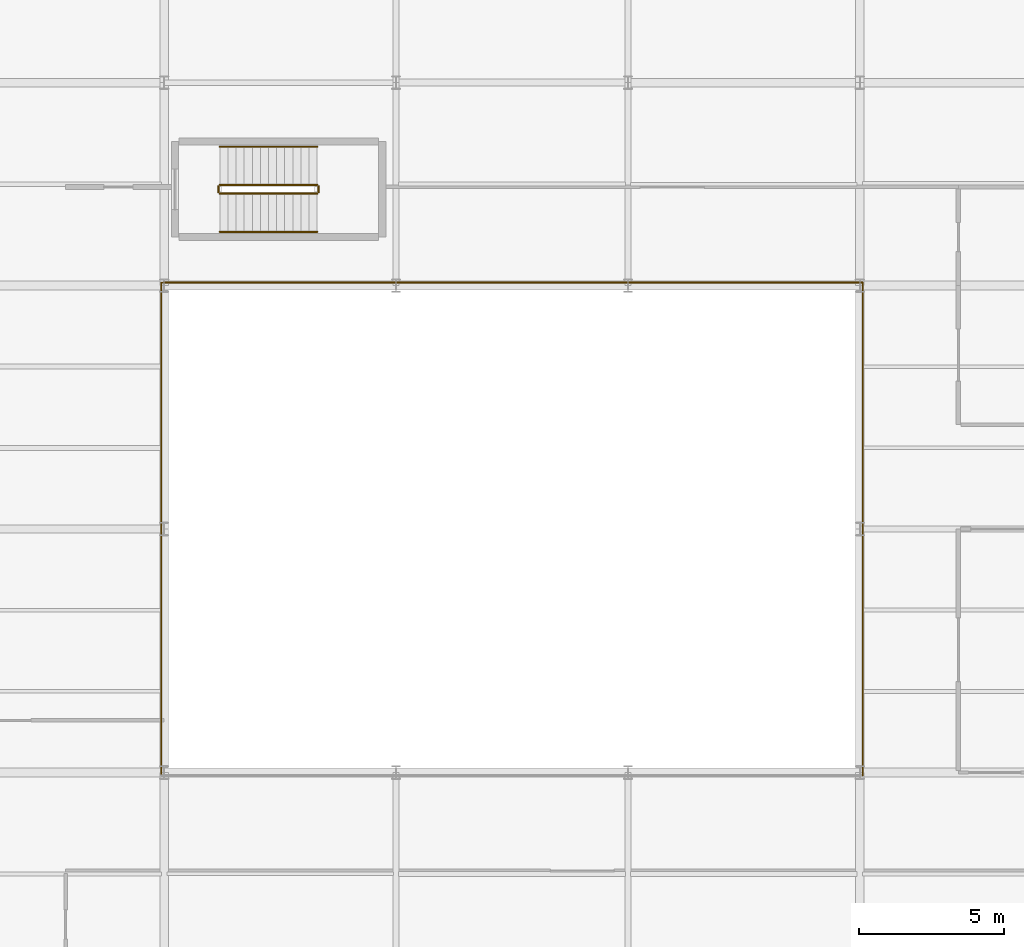
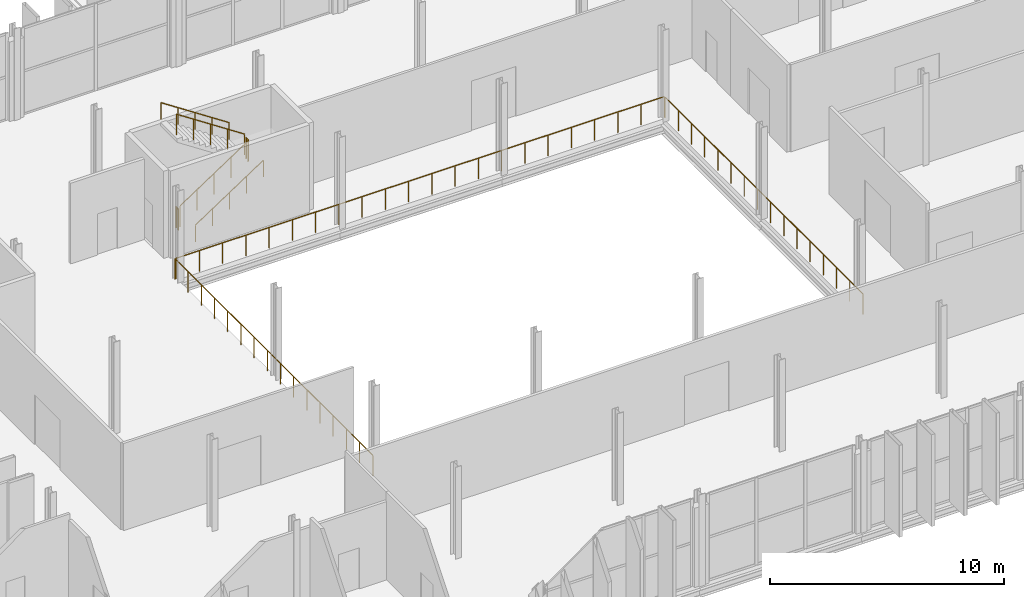
# One storey, part 115 of 120: 9 railings.
"""IFC4 building model written with IfcOpenShell, lengths in metres."""

from ifc_helpers import new_model, si_unit, direction, frame, origin, origin_2d, place, context, subcontext, project, spatial, circle, extrude, material, type_object, element, save


model = new_model("IFC4")

# Units and contexts
model_context = context("Model", 3, precision=1e-05, world=origin(), true_north=direction((0.0, 1.0)))
body_context = subcontext(model_context, "Body", "Model", "MODEL_VIEW")
ifc_project = project(units=[si_unit("LENGTHUNIT", "METRE"), si_unit("AREAUNIT", "SQUARE_METRE"), si_unit("VOLUMEUNIT", "CUBIC_METRE"), si_unit("PLANEANGLEUNIT", "RADIAN"), si_unit("MASSUNIT", "GRAM", prefix="KILO")], contexts=[model_context])

# Site, building, storey
site_placement = place(None, origin())
site = spatial("IfcSite", under=ifc_project, at=site_placement, CompositionType="ELEMENT")
building_placement = place(site_placement, origin())
building = spatial("IfcBuilding", under=site, at=building_placement, Name="Vekula Escarpment Museum", CompositionType="ELEMENT")
storey_placement = place(building_placement, frame((0.0, 0.0, 13.199951171875)))
storey = spatial("IfcBuildingStorey", under=building, at=storey_placement, Name="L03", CompositionType="ELEMENT", Elevation=13.199951171875)

# Railings
ifc_material_1 = material(Name="Bronze-coated Steel S355 balustrade", Category="steel")
railing_type_1 = type_object("IfcRailingType", Name="RL-ATR-BAL", PredefinedType="BALUSTRADE", material=ifc_material_1)
railing_1_placement = place(storey_placement, frame((110.10009765625, 59.5, 0.0)))
element("IfcRailing", 1, at=railing_1_placement, inside=storey, type_object=railing_type_1, Name="Central Atrium Balustrade L03 E", PredefinedType="BALUSTRADE", context=body_context, shape_type="SweptSolid", body=[
    extrude(circle(Radius=0.02392578125, at=origin_2d()), frame((0.0, 0.0, 1.076171875), z_axis=(0.0, 1.0, 0.0), x_axis=(-1.0, 0.0, 0.0)), (0.0, 0.0, 1.0), 16.93994140625),
    extrude(circle(Radius=0.02099609375, at=origin_2d()), origin(), (0.0, 0.0, 1.0), 1.052001953125),
    extrude(circle(Radius=0.02099609375, at=origin_2d()), frame((0.0, 1.12939453125, 0.0)), (0.0, 0.0, 1.0), 1.052001953125),
    extrude(circle(Radius=0.02099609375, at=origin_2d()), frame((0.0, 2.258544921875, 0.0)), (0.0, 0.0, 1.0), 1.052001953125),
    extrude(circle(Radius=0.02099609375, at=origin_2d()), frame((0.0, 3.387939453125, 0.0)), (0.0, 0.0, 1.0), 1.052001953125),
    extrude(circle(Radius=0.02099609375, at=origin_2d()), frame((0.0, 4.517333984375, 0.0)), (0.0, 0.0, 1.0), 1.052001953125),
    extrude(circle(Radius=0.02099609375, at=origin_2d()), frame((0.0, 5.646728515625, 0.0)), (0.0, 0.0, 1.0), 1.052001953125),
    extrude(circle(Radius=0.02099609375, at=origin_2d()), frame((0.0, 6.77587890625, 0.0)), (0.0, 0.0, 1.0), 1.052001953125),
    extrude(circle(Radius=0.02099609375, at=origin_2d()), frame((0.0, 7.9052734375, 0.0)), (0.0, 0.0, 1.0), 1.052001953125),
    extrude(circle(Radius=0.02099609375, at=origin_2d()), frame((0.0, 9.03466796875, 0.0)), (0.0, 0.0, 1.0), 1.052001953125),
    extrude(circle(Radius=0.02099609375, at=origin_2d()), frame((0.0, 10.1640625, 0.0)), (0.0, 0.0, 1.0), 1.052001953125),
    extrude(circle(Radius=0.02099609375, at=origin_2d()), frame((0.0, 11.293212890625, 0.0)), (0.0, 0.0, 1.0), 1.052001953125),
    extrude(circle(Radius=0.02099609375, at=origin_2d()), frame((0.0, 12.422607421875, 0.0)), (0.0, 0.0, 1.0), 1.052001953125),
    extrude(circle(Radius=0.02099609375, at=origin_2d()), frame((0.0, 13.552001953125, 0.0)), (0.0, 0.0, 1.0), 1.052001953125),
    extrude(circle(Radius=0.02099609375, at=origin_2d()), frame((0.0, 14.681396484375, 0.0)), (0.0, 0.0, 1.0), 1.052001953125),
    extrude(circle(Radius=0.02099609375, at=origin_2d()), frame((0.0, 15.810546875, 0.0)), (0.0, 0.0, 1.0), 1.052001953125),
    extrude(circle(Radius=0.02099609375, at=origin_2d()), frame((0.0, 16.93994140625, 0.0)), (0.0, 0.0, 1.0), 1.052001953125),
])
railing_2_placement = place(storey_placement, frame((110.10009765625, 76.5, 0.0)))
element("IfcRailing", 2, at=railing_2_placement, inside=storey, type_object=railing_type_1, Name="Central Atrium Balustrade L03 N", PredefinedType="BALUSTRADE", context=body_context, shape_type="SweptSolid", body=[
    extrude(circle(Radius=0.02392578125, at=origin_2d()), frame((0.0, 0.0, 1.076171875), z_axis=(-1.0, 0.0, 0.0), x_axis=(0.0, -1.0, 0.0)), (0.0, 0.0, 1.0), 24.14013671875),
    extrude(circle(Radius=0.02099609375, at=origin_2d()), origin(), (0.0, 0.0, 1.0), 1.052001953125),
    extrude(circle(Radius=0.02099609375, at=origin_2d()), frame((-1.1494140625, 0.0, 0.0)), (0.0, 0.0, 1.0), 1.052001953125),
    extrude(circle(Radius=0.02099609375, at=origin_2d()), frame((-2.299072265625, 0.0, 0.0)), (0.0, 0.0, 1.0), 1.052001953125),
    extrude(circle(Radius=0.02099609375, at=origin_2d()), frame((-3.448486328125, 0.0, 0.0)), (0.0, 0.0, 1.0), 1.052001953125),
    extrude(circle(Radius=0.02099609375, at=origin_2d()), frame((-4.59814453125, 0.0, 0.0)), (0.0, 0.0, 1.0), 1.052001953125),
    extrude(circle(Radius=0.02099609375, at=origin_2d()), frame((-5.74755859375, 0.0, 0.0)), (0.0, 0.0, 1.0), 1.052001953125),
    extrude(circle(Radius=0.02099609375, at=origin_2d()), frame((-6.897216796875, 0.0, 0.0)), (0.0, 0.0, 1.0), 1.052001953125),
    extrude(circle(Radius=0.02099609375, at=origin_2d()), frame((-8.046630859375, 0.0, 0.0)), (0.0, 0.0, 1.0), 1.052001953125),
    extrude(circle(Radius=0.02099609375, at=origin_2d()), frame((-9.1962890625, 0.0, 0.0)), (0.0, 0.0, 1.0), 1.052001953125),
    extrude(circle(Radius=0.02099609375, at=origin_2d()), frame((-10.345703125, 0.0, 0.0)), (0.0, 0.0, 1.0), 1.052001953125),
    extrude(circle(Radius=0.02099609375, at=origin_2d()), frame((-11.495361328125, 0.0, 0.0)), (0.0, 0.0, 1.0), 1.052001953125),
    extrude(circle(Radius=0.02099609375, at=origin_2d()), frame((-12.644775390625, 0.0, 0.0)), (0.0, 0.0, 1.0), 1.052001953125),
    extrude(circle(Radius=0.02099609375, at=origin_2d()), frame((-13.79443359375, 0.0, 0.0)), (0.0, 0.0, 1.0), 1.052001953125),
    extrude(circle(Radius=0.02099609375, at=origin_2d()), frame((-14.94384765625, 0.0, 0.0)), (0.0, 0.0, 1.0), 1.052001953125),
    extrude(circle(Radius=0.02099609375, at=origin_2d()), frame((-16.093505859375, 0.0, 0.0)), (0.0, 0.0, 1.0), 1.052001953125),
    extrude(circle(Radius=0.02099609375, at=origin_2d()), frame((-17.242919921875, 0.0, 0.0)), (0.0, 0.0, 1.0), 1.052001953125),
    extrude(circle(Radius=0.02099609375, at=origin_2d()), frame((-18.392578125, 0.0, 0.0)), (0.0, 0.0, 1.0), 1.052001953125),
    extrude(circle(Radius=0.02099609375, at=origin_2d()), frame((-19.5419921875, 0.0, 0.0)), (0.0, 0.0, 1.0), 1.052001953125),
    extrude(circle(Radius=0.02099609375, at=origin_2d()), frame((-20.691650390625, 0.0, 0.0)), (0.0, 0.0, 1.0), 1.052001953125),
    extrude(circle(Radius=0.02099609375, at=origin_2d()), frame((-21.841064453125, 0.0, 0.0)), (0.0, 0.0, 1.0), 1.052001953125),
    extrude(circle(Radius=0.02099609375, at=origin_2d()), frame((-22.99072265625, 0.0, 0.0)), (0.0, 0.0, 1.0), 1.052001953125),
    extrude(circle(Radius=0.02099609375, at=origin_2d()), frame((-24.14013671875, 0.0, 0.0)), (0.0, 0.0, 1.0), 1.052001953125),
])
railing_3_placement = place(storey_placement, frame((85.89990234375, 76.5, 0.0)))
element("IfcRailing", 3, at=railing_3_placement, inside=storey, type_object=railing_type_1, Name="Central Atrium Balustrade L03 W", PredefinedType="BALUSTRADE", context=body_context, shape_type="SweptSolid", body=[
    extrude(circle(Radius=0.02392578125, at=origin_2d()), frame((0.0, 0.0, 1.076171875), z_axis=(0.0, -1.0, 0.0), x_axis=(1.0, 0.0, 0.0)), (0.0, 0.0, 1.0), 16.93994140625),
    extrude(circle(Radius=0.02099609375, at=origin_2d()), origin(), (0.0, 0.0, 1.0), 1.052001953125),
    extrude(circle(Radius=0.02099609375, at=origin_2d()), frame((0.0, -1.12939453125, 0.0)), (0.0, 0.0, 1.0), 1.052001953125),
    extrude(circle(Radius=0.02099609375, at=origin_2d()), frame((0.0, -2.258544921875, 0.0)), (0.0, 0.0, 1.0), 1.052001953125),
    extrude(circle(Radius=0.02099609375, at=origin_2d()), frame((0.0, -3.387939453125, 0.0)), (0.0, 0.0, 1.0), 1.052001953125),
    extrude(circle(Radius=0.02099609375, at=origin_2d()), frame((0.0, -4.517333984375, 0.0)), (0.0, 0.0, 1.0), 1.052001953125),
    extrude(circle(Radius=0.02099609375, at=origin_2d()), frame((0.0, -5.646728515625, 0.0)), (0.0, 0.0, 1.0), 1.052001953125),
    extrude(circle(Radius=0.02099609375, at=origin_2d()), frame((0.0, -6.77587890625, 0.0)), (0.0, 0.0, 1.0), 1.052001953125),
    extrude(circle(Radius=0.02099609375, at=origin_2d()), frame((0.0, -7.9052734375, 0.0)), (0.0, 0.0, 1.0), 1.052001953125),
    extrude(circle(Radius=0.02099609375, at=origin_2d()), frame((0.0, -9.03466796875, 0.0)), (0.0, 0.0, 1.0), 1.052001953125),
    extrude(circle(Radius=0.02099609375, at=origin_2d()), frame((0.0, -10.1640625, 0.0)), (0.0, 0.0, 1.0), 1.052001953125),
    extrude(circle(Radius=0.02099609375, at=origin_2d()), frame((0.0, -11.293212890625, 0.0)), (0.0, 0.0, 1.0), 1.052001953125),
    extrude(circle(Radius=0.02099609375, at=origin_2d()), frame((0.0, -12.422607421875, 0.0)), (0.0, 0.0, 1.0), 1.052001953125),
    extrude(circle(Radius=0.02099609375, at=origin_2d()), frame((0.0, -13.552001953125, 0.0)), (0.0, 0.0, 1.0), 1.052001953125),
    extrude(circle(Radius=0.02099609375, at=origin_2d()), frame((0.0, -14.681396484375, 0.0)), (0.0, 0.0, 1.0), 1.052001953125),
    extrude(circle(Radius=0.02099609375, at=origin_2d()), frame((0.0, -15.810546875, 0.0)), (0.0, 0.0, 1.0), 1.052001953125),
    extrude(circle(Radius=0.02099609375, at=origin_2d()), frame((0.0, -16.93994140625, 0.0)), (0.0, 0.0, 1.0), 1.052001953125),
])
ifc_material_2 = material(Name="Painted Steel S355 stair guard", Category="steel")
railing_type_2 = type_object("IfcRailingType", Name="RL-STAIR-GUARD", PredefinedType="GUARDRAIL", material=ifc_material_2)
railing_4_placement = place(storey_placement, frame((87.919921875, 79.570068359375, 0.1845703125)))
element("IfcRailing", 4, at=railing_4_placement, inside=storey, type_object=railing_type_2, Name="L03 ST-09 stair guard 1", PredefinedType="GUARDRAIL", context=body_context, shape_type="SweptSolid", body=[
    extrude(circle(Radius=0.02392578125, at=origin_2d()), frame((0.0, 0.0, 1.076171875), z_axis=(0.834848600103, 0.0, 0.550479622607), x_axis=(0.0, 1.0, 0.0)), (0.0, 0.0, 1.0), 4.02490234375),
    extrude(circle(Radius=0.02099609375, at=origin_2d()), origin(), (0.0, 0.0, 1.0), 1.052001953125),
    extrude(circle(Radius=0.02099609375, at=origin_2d()), frame((0.840087890625, 0.0, 0.553955078125)), (0.0, 0.0, 1.0), 1.052001953125),
    extrude(circle(Radius=0.02099609375, at=origin_2d()), frame((1.68017578125, 0.0, 1.10791015625)), (0.0, 0.0, 1.0), 1.052001953125),
    extrude(circle(Radius=0.02099609375, at=origin_2d()), frame((2.52001953125, 0.0, 1.66162109375)), (0.0, 0.0, 1.0), 1.052001953125),
    extrude(circle(Radius=0.02099609375, at=origin_2d()), frame((3.360107421875, 0.0, 2.215576171875)), (0.0, 0.0, 1.0), 1.052001953125),
])
railing_5_placement = place(storey_placement, frame((91.330078125, 79.6201171875, 2.400146484375)))
element("IfcRailing", 5, at=railing_5_placement, inside=storey, type_object=railing_type_2, Name="L03 ST-09 stair guard 2", PredefinedType="GUARDRAIL", context=body_context, shape_type="SweptSolid", body=[
    extrude(circle(Radius=0.02392578125, at=origin_2d()), frame((0.0, 0.0, 1.076171875), z_axis=(0.0, 1.0, 0.0), x_axis=(-1.0, 0.0, 0.0)), (0.0, 0.0, 1.0), 0.199951171875),
    extrude(circle(Radius=0.02099609375, at=origin_2d()), origin(), (0.0, 0.0, 1.0), 1.052001953125),
    extrude(circle(Radius=0.02099609375, at=origin_2d()), frame((0.0, 0.199951171875, 0.0)), (0.0, 0.0, 1.0), 1.052001953125),
])
railing_6_placement = place(storey_placement, frame((91.280029296875, 79.8701171875, 2.584716796875)))
element("IfcRailing", 6, at=railing_6_placement, inside=storey, type_object=railing_type_2, Name="L03 ST-09 stair guard 3", PredefinedType="GUARDRAIL", context=body_context, shape_type="SweptSolid", body=[
    extrude(circle(Radius=0.02392578125, at=origin_2d()), frame((0.0, 0.0, 1.076171875), z_axis=(-0.834876476806, 0.0, 0.550437342915), x_axis=(0.0, -1.0, 0.0)), (0.0, 0.0, 1.0), 4.024658203125),
    extrude(circle(Radius=0.02099609375, at=origin_2d()), origin(), (0.0, 0.0, 1.0), 1.052001953125),
    extrude(circle(Radius=0.02099609375, at=origin_2d()), frame((-0.840087890625, 0.0, 0.5537109375)), (0.0, 0.0, 1.0), 1.052001953125),
    extrude(circle(Radius=0.02099609375, at=origin_2d()), frame((-1.68017578125, 0.0, 1.107666015625)), (0.0, 0.0, 1.0), 1.052001953125),
    extrude(circle(Radius=0.02099609375, at=origin_2d()), frame((-2.52001953125, 0.0, 1.66162109375)), (0.0, 0.0, 1.0), 1.052001953125),
    extrude(circle(Radius=0.02099609375, at=origin_2d()), frame((-3.360107421875, 0.0, 2.21533203125)), (0.0, 0.0, 1.0), 1.052001953125),
])
railing_7_placement = place(storey_placement, frame((87.8701171875, 79.6201171875, 0.0)))
element("IfcRailing", 7, at=railing_7_placement, inside=storey, type_object=railing_type_2, Name="L03 ST-09 stair guard 4", PredefinedType="GUARDRAIL", context=body_context, shape_type="SweptSolid", body=[
    extrude(circle(Radius=0.02392578125, at=origin_2d()), frame((0.0, 0.0, 1.076171875), z_axis=(0.0, 1.0, 0.0), x_axis=(-1.0, 0.0, 0.0)), (0.0, 0.0, 1.0), 0.199951171875),
    extrude(circle(Radius=0.02099609375, at=origin_2d()), origin(), (0.0, 0.0, 1.0), 1.052001953125),
    extrude(circle(Radius=0.02099609375, at=origin_2d()), frame((0.0, 0.199951171875, 0.0)), (0.0, 0.0, 1.0), 1.052001953125),
])
ifc_material_3 = material(Name="Brushed stainless steel handrail", Category="steel")
railing_type_3 = type_object("IfcRailingType", Name="RL-STAIR-HAND", PredefinedType="HANDRAIL", material=ifc_material_3)
railing_8_placement = place(storey_placement, frame((87.919921875, 78.25, 0.1845703125)))
element("IfcRailing", 8, at=railing_8_placement, inside=storey, type_object=railing_type_3, Name="L03 ST-09 stair handrail 1", PredefinedType="HANDRAIL", context=body_context, shape_type="SweptSolid", body=[
    extrude(circle(Radius=0.02392578125, at=origin_2d()), frame((0.0, 0.0, 0.8759765625), z_axis=(0.834848600103, 0.0, 0.550479622607), x_axis=(0.0, 1.0, 0.0)), (0.0, 0.0, 1.0), 4.02490234375),
    extrude(circle(Radius=0.02099609375, at=origin_2d()), origin(), (0.0, 0.0, 1.0), 0.851806640625),
    extrude(circle(Radius=0.02099609375, at=origin_2d()), frame((0.840087890625, 0.0, 0.553955078125)), (0.0, 0.0, 1.0), 0.851806640625),
    extrude(circle(Radius=0.02099609375, at=origin_2d()), frame((1.68017578125, 0.0, 1.10791015625)), (0.0, 0.0, 1.0), 0.851806640625),
    extrude(circle(Radius=0.02099609375, at=origin_2d()), frame((2.52001953125, 0.0, 1.66162109375)), (0.0, 0.0, 1.0), 0.851806640625),
    extrude(circle(Radius=0.02099609375, at=origin_2d()), frame((3.360107421875, 0.0, 2.215576171875)), (0.0, 0.0, 1.0), 0.851806640625),
])
railing_9_placement = place(storey_placement, frame((91.280029296875, 81.18994140625, 2.584716796875)))
element("IfcRailing", 9, at=railing_9_placement, inside=storey, type_object=railing_type_3, Name="L03 ST-09 stair handrail 2", PredefinedType="HANDRAIL", context=body_context, shape_type="SweptSolid", body=[
    extrude(circle(Radius=0.02392578125, at=origin_2d()), frame((0.0, 0.0, 0.8759765625), z_axis=(-0.834876476806, 0.0, 0.550437342915), x_axis=(0.0, -1.0, 0.0)), (0.0, 0.0, 1.0), 4.024658203125),
    extrude(circle(Radius=0.02099609375, at=origin_2d()), origin(), (0.0, 0.0, 1.0), 0.851806640625),
    extrude(circle(Radius=0.02099609375, at=origin_2d()), frame((-0.840087890625, 0.0, 0.5537109375)), (0.0, 0.0, 1.0), 0.851806640625),
    extrude(circle(Radius=0.02099609375, at=origin_2d()), frame((-1.68017578125, 0.0, 1.107666015625)), (0.0, 0.0, 1.0), 0.851806640625),
    extrude(circle(Radius=0.02099609375, at=origin_2d()), frame((-2.52001953125, 0.0, 1.66162109375)), (0.0, 0.0, 1.0), 0.851806640625),
    extrude(circle(Radius=0.02099609375, at=origin_2d()), frame((-3.360107421875, 0.0, 2.21533203125)), (0.0, 0.0, 1.0), 0.851806640625),
])

save(model, "model.ifc")
